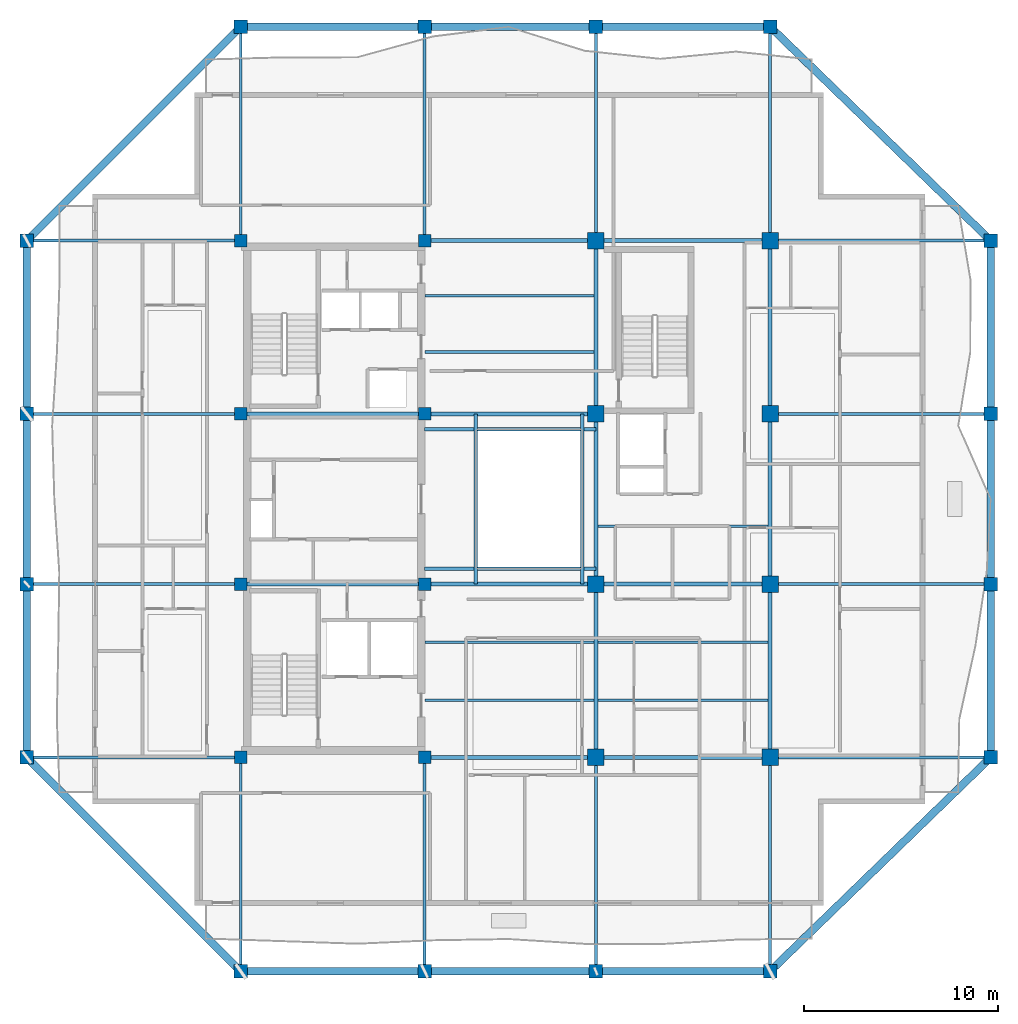
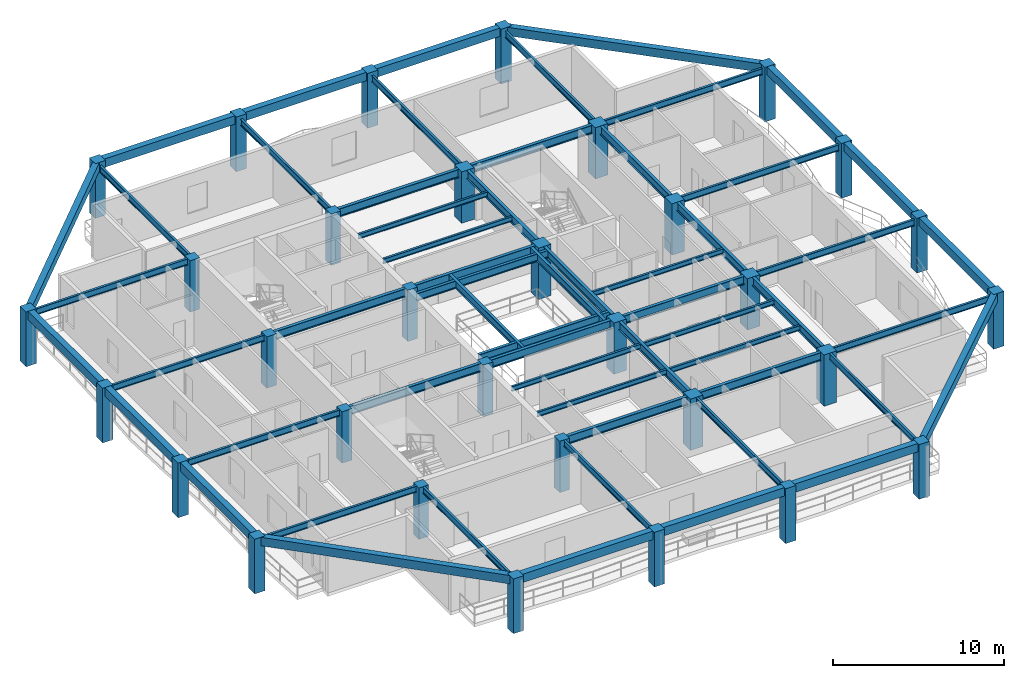
# One storey, part 1 of 12: 58 beams, 32 columns.
"""IFC4 building model written with IfcOpenShell, lengths in metres."""

from ifc_helpers import new_model, si_unit, direction, frame, origin, origin_2d, place, context, subcontext, project, spatial, rectangle, i_section, extrude, material, material_profile, profile_set, type_object, element, save


model = new_model("IFC4")

# Units and contexts
model_context = context("Model", 3, precision=1e-05, world=origin(), true_north=direction((0.0, 1.0)))
body_context = subcontext(model_context, "Body", "Model", "MODEL_VIEW")
ifc_project = project(units=[si_unit("LENGTHUNIT", "METRE"), si_unit("AREAUNIT", "SQUARE_METRE"), si_unit("VOLUMEUNIT", "CUBIC_METRE"), si_unit("PLANEANGLEUNIT", "RADIAN"), si_unit("MASSUNIT", "GRAM", prefix="KILO")], contexts=[model_context])

# Site, building, storey
site_placement = place(None, origin())
site = spatial("IfcSite", under=ifc_project, at=site_placement, CompositionType="ELEMENT")
building_placement = place(site_placement, origin())
building = spatial("IfcBuilding", under=site, at=building_placement, Name="Kundavana Baori Tower", CompositionType="ELEMENT")
storey_placement = place(building_placement, frame((0.0, 0.0, 241.39990234375)))
storey = spatial("IfcBuildingStorey", under=building, at=storey_placement, Name="L59", CompositionType="ELEMENT", Elevation=241.39990234375)

# Columns
ifc_material_1 = material(Name="Concrete C50/60", Category="concrete")
ifc_material_profile_1 = material_profile(ifc_material_1, rectangle(XDim=0.699951171875, YDim=0.699951171875, at=origin_2d()), Name="RC PF 700x700")
ifc_profile_set_1 = profile_set([ifc_material_profile_1], Name="Concrete C50/60")
column_type_1 = type_object("IfcColumnType", Name="COL-PF-700", PredefinedType="COLUMN", material=ifc_profile_set_1)
for number, where, z_axis, x_axis, name in (
    (1, (15.449951171875, 4.199951171875, 0.0), (0.0, 0.0, 1.0), (1.0, 0.0, 0.0), "L59 Stone-Clad Perimeter Frame Column PF-S1"),
    (2, (15.449951171875, 53.0, 0.0), (0.0, 0.0, 1.0), (1.0, 0.0, 0.0), "L59 Stone-Clad Perimeter Frame Column PF-N1"),
    (3, (24.949951171875, 4.199951171875, 0.0), (0.0, 0.0, 1.0), (1.0, 0.0, 0.0), "L59 Stone-Clad Perimeter Frame Column PF-S2"),
    (4, (24.949951171875, 53.0, 0.0), (0.0, 0.0, 1.0), (1.0, 0.0, 0.0), "L59 Stone-Clad Perimeter Frame Column PF-N2"),
    (5, (33.800048828125, 4.199951171875, 0.0), (0.0, 0.0, 1.0), (1.0, 0.0, 0.0), "L59 Stone-Clad Perimeter Frame Column PF-S3"),
    (6, (33.800048828125, 53.0, 0.0), (0.0, 0.0, 1.0), (1.0, 0.0, 0.0), "L59 Stone-Clad Perimeter Frame Column PF-N3"),
    (7, (42.800048828125, 4.199951171875, 0.0), (0.0, 0.0, 1.0), (1.0, 0.0, 0.0), "L59 Stone-Clad Perimeter Frame Column PF-S4"),
    (8, (42.800048828125, 53.0, 0.0), (0.0, 0.0, 1.0), (1.0, 0.0, 0.0), "L59 Stone-Clad Perimeter Frame Column PF-N4"),
    (9, (4.39990234375, 15.25, 0.0), (0.0, 0.0, 1.0), (1.0, 0.0, 0.0), "L59 Stone-Clad Perimeter Frame Column PF-W1"),
    (10, (54.199951171875, 15.25, 0.0), (0.0, 0.0, 1.0), (1.0, 0.0, 0.0), "L59 Stone-Clad Perimeter Frame Column PF-E1"),
    (11, (4.39990234375, 24.199951171875, 0.0), (0.0, 0.0, 1.0), (1.0, 0.0, 0.0), "L59 Stone-Clad Perimeter Frame Column PF-W2"),
    (12, (54.199951171875, 24.199951171875, 0.0), (0.0, 0.0, 1.0), (1.0, 0.0, 0.0), "L59 Stone-Clad Perimeter Frame Column PF-E2"),
    (13, (4.39990234375, 33.0, 0.0), (0.0, 0.0, 1.0), (1.0, 0.0, 0.0), "L59 Stone-Clad Perimeter Frame Column PF-W3"),
    (14, (54.199951171875, 33.0, 0.0), (0.0, 0.0, 1.0), (1.0, 0.0, 0.0), "L59 Stone-Clad Perimeter Frame Column PF-E3"),
    (15, (4.39990234375, 41.949951171875, 0.0), (0.0, 0.0, 1.0), (1.0, 0.0, 0.0), "L59 Stone-Clad Perimeter Frame Column PF-W4"),
    (16, (54.199951171875, 41.949951171875, 0.0), (0.0, 0.0, 1.0), (1.0, 0.0, 0.0), "L59 Stone-Clad Perimeter Frame Column PF-E4"),
):
    element("IfcColumn", number, at=place(storey_placement, frame(where, z_axis=z_axis, x_axis=x_axis)), inside=storey, type_object=column_type_1, Name=name, PredefinedType="COLUMN", context=body_context, shape_type="SweptSolid", body=[
        extrude(rectangle(XDim=0.699951171875, YDim=0.699951171875, at=origin_2d()), origin(), (0.0, 0.0, 1.0), 3.900146484375),
    ])
ifc_material_2 = material(Name="Concrete C50/60", Category="concrete")
ifc_material_profile_2 = material_profile(ifc_material_2, rectangle(XDim=0.64990234375, YDim=0.64990234375, at=origin_2d()), Name="RC 650x650")
ifc_profile_set_2 = profile_set([ifc_material_profile_2], Name="Concrete C50/60")
column_type_2 = type_object("IfcColumnType", Name="COL-RC-650", PredefinedType="COLUMN", material=ifc_profile_set_2)
for number, where, z_axis, x_axis, name in (
    (17, (15.449951171875, 15.25, 0.0), (0.0, 0.0, 1.0), (1.0, 0.0, 0.0), "L59 Interior Column IC-3C"),
    (18, (15.449951171875, 24.199951171875, 0.0), (0.0, 0.0, 1.0), (1.0, 0.0, 0.0), "L59 Interior Column IC-3D"),
    (19, (15.449951171875, 33.0, 0.0), (0.0, 0.0, 1.0), (1.0, 0.0, 0.0), "L59 Interior Column IC-3E"),
    (20, (15.449951171875, 41.949951171875, 0.0), (0.0, 0.0, 1.0), (1.0, 0.0, 0.0), "L59 Interior Column IC-3F"),
    (21, (24.949951171875, 15.25, 0.0), (0.0, 0.0, 1.0), (1.0, 0.0, 0.0), "L59 Interior Column IC-4C"),
    (22, (24.949951171875, 24.199951171875, 0.0), (0.0, 0.0, 1.0), (1.0, 0.0, 0.0), "L59 Interior Column IC-4D"),
    (23, (24.949951171875, 33.0, 0.0), (0.0, 0.0, 1.0), (1.0, 0.0, 0.0), "L59 Interior Column IC-4E"),
    (24, (24.949951171875, 41.949951171875, 0.0), (0.0, 0.0, 1.0), (1.0, 0.0, 0.0), "L59 Interior Column IC-4F"),
):
    element("IfcColumn", number, at=place(storey_placement, frame(where, z_axis=z_axis, x_axis=x_axis)), inside=storey, type_object=column_type_2, Name=name, PredefinedType="COLUMN", context=body_context, shape_type="SweptSolid", body=[
        extrude(rectangle(XDim=0.64990234375, YDim=0.64990234375, at=origin_2d()), origin(), (0.0, 0.0, 1.0), 3.66015625),
    ])
ifc_material_3 = material(Name="Concrete C50/60", Category="concrete")
ifc_material_profile_3 = material_profile(ifc_material_3, rectangle(XDim=0.85009765625, YDim=0.85009765625, at=origin_2d()), Name="RC 850x850")
ifc_profile_set_3 = profile_set([ifc_material_profile_3], Name="Concrete C50/60")
column_type_3 = type_object("IfcColumnType", Name="COL-RC-850", PredefinedType="COLUMN", material=ifc_profile_set_3)
for number, where, z_axis, x_axis, name in (
    (25, (33.800048828125, 15.25, 0.0), (0.0, 0.0, 1.0), (1.0, 0.0, 0.0), "L59 Interior Column IC-5C"),
    (26, (33.800048828125, 24.199951171875, 0.0), (0.0, 0.0, 1.0), (1.0, 0.0, 0.0), "L59 Interior Column IC-5D"),
    (27, (33.800048828125, 33.0, 0.0), (0.0, 0.0, 1.0), (1.0, 0.0, 0.0), "L59 Interior Column IC-5E"),
    (28, (33.800048828125, 41.949951171875, 0.0), (0.0, 0.0, 1.0), (1.0, 0.0, 0.0), "L59 Interior Column IC-5F"),
    (29, (42.800048828125, 15.25, 0.0), (0.0, 0.0, 1.0), (1.0, 0.0, 0.0), "L59 Interior Column IC-6C"),
    (30, (42.800048828125, 24.199951171875, 0.0), (0.0, 0.0, 1.0), (1.0, 0.0, 0.0), "L59 Interior Column IC-6D"),
    (31, (42.800048828125, 33.0, 0.0), (0.0, 0.0, 1.0), (1.0, 0.0, 0.0), "L59 Interior Column IC-6E"),
    (32, (42.800048828125, 41.949951171875, 0.0), (0.0, 0.0, 1.0), (1.0, 0.0, 0.0), "L59 Interior Column IC-6F"),
):
    element("IfcColumn", number, at=place(storey_placement, frame(where, z_axis=z_axis, x_axis=x_axis)), inside=storey, type_object=column_type_3, Name=name, PredefinedType="COLUMN", context=body_context, shape_type="SweptSolid", body=[
        extrude(rectangle(XDim=0.85009765625, YDim=0.85009765625, at=origin_2d()), origin(), (0.0, 0.0, 1.0), 3.66015625),
    ])

# Beams
ifc_material_4 = material(Name="Structural Steel S355JR", Category="steel")
ifc_material_profile_4 = material_profile(ifc_material_4, i_section(OverallWidth=0.139892578125, OverallDepth=0.35009765625, WebThickness=0.008056640625, FlangeThickness=0.01416015625, FilletRadius=0.013916015625, at=origin_2d()), Name="ISMB 350")
ifc_profile_set_4 = profile_set([ifc_material_profile_4], Name="Structural Steel S355JR")
beam_type_1 = type_object("IfcBeamType", Name="BM-JST-350", PredefinedType="JOIST", material=ifc_profile_set_4)
for number, where, z_axis, x_axis, name in (
    (33, (24.97998046875, 18.199951171875, 3.485107421875), (1.0, 0.0, 0.0), (0.0, 1.0, 0.0), "L59 Central Bay Composite Floor Joist C1"),
    (34, (24.97998046875, 21.199951171875, 3.485107421875), (1.0, 0.0, 0.0), (0.0, 1.0, 0.0), "L59 Central Bay Composite Floor Joist C2"),
    (35, (24.97998046875, 36.199951171875, 3.485107421875), (1.0, 0.0, 0.0), (0.0, 1.0, 0.0), "L59 Central Bay Composite Floor Joist C3"),
    (36, (24.97998046875, 39.10009765625, 3.485107421875), (1.0, 0.0, 0.0), (0.0, 1.0, 0.0), "L59 Central Bay Composite Floor Joist C4"),
):
    element("IfcBeam", number, at=place(storey_placement, frame(where, z_axis=z_axis, x_axis=x_axis)), inside=storey, type_object=beam_type_1, Name=name, PredefinedType="JOIST", context=body_context, shape_type="SweptSolid", body=[
        extrude(i_section(OverallWidth=0.139892578125, OverallDepth=0.35009765625, WebThickness=0.008056640625, FlangeThickness=0.01416015625, FilletRadius=0.013916015625, at=origin_2d()), origin(), (0.0, 0.0, 1.0), 8.715087890625),
    ])
for number, where, z_axis, x_axis, name in (
    (37, (33.905029296875, 18.199951171875, 3.485107421875), (1.0, 0.0, 0.0), (0.0, 1.0, 0.0), "L59 East Bay Composite Floor Joist E1"),
    (38, (33.905029296875, 21.199951171875, 3.485107421875), (1.0, 0.0, 0.0), (0.0, 1.0, 0.0), "L59 East Bay Composite Floor Joist E2"),
    (39, (33.905029296875, 27.199951171875, 3.485107421875), (1.0, 0.0, 0.0), (0.0, 1.0, 0.0), "L59 East Bay Composite Floor Joist E3"),
):
    element("IfcBeam", number, at=place(storey_placement, frame(where, z_axis=z_axis, x_axis=x_axis)), inside=storey, type_object=beam_type_1, Name=name, PredefinedType="JOIST", context=body_context, shape_type="SweptSolid", body=[
        extrude(i_section(OverallWidth=0.139892578125, OverallDepth=0.35009765625, WebThickness=0.008056640625, FlangeThickness=0.01416015625, FilletRadius=0.013916015625, at=origin_2d()), origin(), (0.0, 0.0, 1.0), 8.7900390625),
    ])
ifc_material_5 = material(Name="Concrete C50/60", Category="concrete")
ifc_material_profile_5 = material_profile(ifc_material_5, rectangle(XDim=0.39990234375, YDim=0.60009765625, at=origin_2d()), Name="RC BM 400x600")
ifc_profile_set_5 = profile_set([ifc_material_profile_5], Name="Concrete C50/60")
beam_type_2 = type_object("IfcBeamType", Name="BM-PF-600", PredefinedType="SPANDREL", material=ifc_profile_set_5)
beam_1_placement = place(storey_placement, frame((15.449951171875, 4.199951171875, 3.60009765625), z_axis=(1.0, 0.0, 0.0), x_axis=(0.0, 1.0, 0.0)))
element("IfcBeam", 40, at=beam_1_placement, inside=storey, type_object=beam_type_2, Name="L59 Perimeter Frame Ring Beam S1", PredefinedType="SPANDREL", context=body_context, shape_type="SweptSolid", body=[
    extrude(rectangle(XDim=0.39990234375, YDim=0.60009765625, at=origin_2d()), origin(), (0.0, 0.0, 1.0), 9.5),
])
beam_2_placement = place(storey_placement, frame((24.949951171875, 4.199951171875, 3.60009765625), z_axis=(1.0, 0.0, 0.0), x_axis=(0.0, 1.0, 0.0)))
element("IfcBeam", 41, at=beam_2_placement, inside=storey, type_object=beam_type_2, Name="L59 Perimeter Frame Ring Beam S2", PredefinedType="SPANDREL", context=body_context, shape_type="SweptSolid", body=[
    extrude(rectangle(XDim=0.39990234375, YDim=0.60009765625, at=origin_2d()), origin(), (0.0, 0.0, 1.0), 8.85009765625),
])
beam_3_placement = place(storey_placement, frame((33.800048828125, 4.199951171875, 3.60009765625), z_axis=(1.0, 0.0, 0.0), x_axis=(0.0, 1.0, 0.0)))
element("IfcBeam", 42, at=beam_3_placement, inside=storey, type_object=beam_type_2, Name="L59 Perimeter Frame Ring Beam S3", PredefinedType="SPANDREL", context=body_context, shape_type="SweptSolid", body=[
    extrude(rectangle(XDim=0.39990234375, YDim=0.60009765625, at=origin_2d()), origin(), (0.0, 0.0, 1.0), 9.0),
])
beam_4_placement = place(storey_placement, frame((15.449951171875, 53.0, 3.60009765625), z_axis=(1.0, 0.0, 0.0), x_axis=(0.0, 1.0, 0.0)))
element("IfcBeam", 43, at=beam_4_placement, inside=storey, type_object=beam_type_2, Name="L59 Perimeter Frame Ring Beam N1", PredefinedType="SPANDREL", context=body_context, shape_type="SweptSolid", body=[
    extrude(rectangle(XDim=0.39990234375, YDim=0.60009765625, at=origin_2d()), origin(), (0.0, 0.0, 1.0), 9.5),
])
beam_5_placement = place(storey_placement, frame((24.949951171875, 53.0, 3.60009765625), z_axis=(1.0, 0.0, 0.0), x_axis=(0.0, 1.0, 0.0)))
element("IfcBeam", 44, at=beam_5_placement, inside=storey, type_object=beam_type_2, Name="L59 Perimeter Frame Ring Beam N2", PredefinedType="SPANDREL", context=body_context, shape_type="SweptSolid", body=[
    extrude(rectangle(XDim=0.39990234375, YDim=0.60009765625, at=origin_2d()), origin(), (0.0, 0.0, 1.0), 8.85009765625),
])
beam_6_placement = place(storey_placement, frame((33.800048828125, 53.0, 3.60009765625), z_axis=(1.0, 0.0, 0.0), x_axis=(0.0, 1.0, 0.0)))
element("IfcBeam", 45, at=beam_6_placement, inside=storey, type_object=beam_type_2, Name="L59 Perimeter Frame Ring Beam N3", PredefinedType="SPANDREL", context=body_context, shape_type="SweptSolid", body=[
    extrude(rectangle(XDim=0.39990234375, YDim=0.60009765625, at=origin_2d()), origin(), (0.0, 0.0, 1.0), 9.0),
])
beam_7_placement = place(storey_placement, frame((4.39990234375, 15.25, 3.60009765625), z_axis=(0.0, 1.0, 0.0), x_axis=(-1.0, 0.0, 0.0)))
element("IfcBeam", 46, at=beam_7_placement, inside=storey, type_object=beam_type_2, Name="L59 Perimeter Frame Ring Beam W1", PredefinedType="SPANDREL", context=body_context, shape_type="SweptSolid", body=[
    extrude(rectangle(XDim=0.39990234375, YDim=0.60009765625, at=origin_2d()), origin(), (0.0, 0.0, 1.0), 8.949951171875),
])
beam_8_placement = place(storey_placement, frame((4.39990234375, 24.199951171875, 3.60009765625), z_axis=(0.0, 1.0, 0.0), x_axis=(-1.0, 0.0, 0.0)))
element("IfcBeam", 47, at=beam_8_placement, inside=storey, type_object=beam_type_2, Name="L59 Perimeter Frame Ring Beam W2", PredefinedType="SPANDREL", context=body_context, shape_type="SweptSolid", body=[
    extrude(rectangle(XDim=0.39990234375, YDim=0.60009765625, at=origin_2d()), origin(), (0.0, 0.0, 1.0), 8.800048828125),
])
for number, where, z_axis, x_axis, name in (
    (48, (4.39990234375, 33.0, 3.60009765625), (0.0, 1.0, 0.0), (-1.0, 0.0, 0.0), "L59 Perimeter Frame Ring Beam W3"),
    (49, (54.199951171875, 15.25, 3.60009765625), (0.0, 1.0, 0.0), (-1.0, 0.0, 0.0), "L59 Perimeter Frame Ring Beam E1"),
):
    element("IfcBeam", number, at=place(storey_placement, frame(where, z_axis=z_axis, x_axis=x_axis)), inside=storey, type_object=beam_type_2, Name=name, PredefinedType="SPANDREL", context=body_context, shape_type="SweptSolid", body=[
        extrude(rectangle(XDim=0.39990234375, YDim=0.60009765625, at=origin_2d()), origin(), (0.0, 0.0, 1.0), 8.949951171875),
    ])
beam_9_placement = place(storey_placement, frame((54.199951171875, 24.199951171875, 3.60009765625), z_axis=(0.0, 1.0, 0.0), x_axis=(-1.0, 0.0, 0.0)))
element("IfcBeam", 50, at=beam_9_placement, inside=storey, type_object=beam_type_2, Name="L59 Perimeter Frame Ring Beam E2", PredefinedType="SPANDREL", context=body_context, shape_type="SweptSolid", body=[
    extrude(rectangle(XDim=0.39990234375, YDim=0.60009765625, at=origin_2d()), origin(), (0.0, 0.0, 1.0), 8.800048828125),
])
beam_10_placement = place(storey_placement, frame((54.199951171875, 33.0, 3.60009765625), z_axis=(0.0, 1.0, 0.0), x_axis=(-1.0, 0.0, 0.0)))
element("IfcBeam", 51, at=beam_10_placement, inside=storey, type_object=beam_type_2, Name="L59 Perimeter Frame Ring Beam E3", PredefinedType="SPANDREL", context=body_context, shape_type="SweptSolid", body=[
    extrude(rectangle(XDim=0.39990234375, YDim=0.60009765625, at=origin_2d()), origin(), (0.0, 0.0, 1.0), 8.949951171875),
])
beam_11_placement = place(storey_placement, frame((15.449951171875, 4.199951171875, 3.60009765625), z_axis=(-0.707106781187, 0.707106781187, 0.0), x_axis=(-0.707106781187, -0.707106781187, 0.0)))
element("IfcBeam", 52, at=beam_11_placement, inside=storey, type_object=beam_type_2, Name="L59 Notched Corner Perimeter Beam SW", PredefinedType="SPANDREL", context=body_context, shape_type="SweptSolid", body=[
    extrude(rectangle(XDim=0.39990234375, YDim=0.60009765625, at=origin_2d()), origin(), (0.0, 0.0, 1.0), 15.627197265625),
])
beam_12_placement = place(storey_placement, frame((42.800048828125, 4.199951171875, 3.60009765625), z_axis=(0.718038944492, 0.696002926857, 0.0), x_axis=(-0.696002926857, 0.718038944492, 0.0)))
element("IfcBeam", 53, at=beam_12_placement, inside=storey, type_object=beam_type_2, Name="L59 Notched Corner Perimeter Beam SE", PredefinedType="SPANDREL", context=body_context, shape_type="SweptSolid", body=[
    extrude(rectangle(XDim=0.39990234375, YDim=0.60009765625, at=origin_2d()), origin(), (0.0, 0.0, 1.0), 15.87646484375),
])
beam_13_placement = place(storey_placement, frame((15.449951171875, 53.0, 3.60009765625), z_axis=(-0.707106781187, -0.707106781187, 0.0), x_axis=(0.707106781187, -0.707106781187, 0.0)))
element("IfcBeam", 54, at=beam_13_placement, inside=storey, type_object=beam_type_2, Name="L59 Notched Corner Perimeter Beam NW", PredefinedType="SPANDREL", context=body_context, shape_type="SweptSolid", body=[
    extrude(rectangle(XDim=0.39990234375, YDim=0.60009765625, at=origin_2d()), origin(), (0.0, 0.0, 1.0), 15.627197265625),
])
beam_14_placement = place(storey_placement, frame((42.800048828125, 53.0, 3.60009765625), z_axis=(0.718038944492, -0.696002926857, 0.0), x_axis=(0.696002926857, 0.718038944492, 0.0)))
element("IfcBeam", 55, at=beam_14_placement, inside=storey, type_object=beam_type_2, Name="L59 Notched Corner Perimeter Beam NE", PredefinedType="SPANDREL", context=body_context, shape_type="SweptSolid", body=[
    extrude(rectangle(XDim=0.39990234375, YDim=0.60009765625, at=origin_2d()), origin(), (0.0, 0.0, 1.0), 15.87646484375),
])
ifc_material_6 = material(Name="Structural Steel S355JR", Category="steel")
ifc_material_profile_6 = material_profile(ifc_material_6, i_section(OverallWidth=0.18994140625, OverallDepth=0.550048828125, WebThickness=0.01123046875, FlangeThickness=0.019287109375, FilletRadius=0.01806640625, at=origin_2d()), Name="ISMB 550")
ifc_profile_set_6 = profile_set([ifc_material_profile_6], Name="Structural Steel S355JR")
beam_type_3 = type_object("IfcBeamType", Name="BM-ST-550", PredefinedType="BEAM", material=ifc_profile_set_6)
for number, where, z_axis, x_axis, name in (
    (56, (27.60009765625, 24.199951171875, 3.385009765625), (0.0, 1.0, 0.0), (-1.0, 0.0, 0.0), "L59 Atrium West Edge Beam"),
    (57, (33.10009765625, 24.199951171875, 3.385009765625), (0.0, 1.0, 0.0), (-1.0, 0.0, 0.0), "L59 Atrium East Edge Beam"),
):
    element("IfcBeam", number, at=place(storey_placement, frame(where, z_axis=z_axis, x_axis=x_axis)), inside=storey, type_object=beam_type_3, Name=name, PredefinedType="BEAM", context=body_context, shape_type="SweptSolid", body=[
        extrude(i_section(OverallWidth=0.18994140625, OverallDepth=0.550048828125, WebThickness=0.01123046875, FlangeThickness=0.019287109375, FilletRadius=0.01806640625, at=origin_2d()), origin(), (0.0, 0.0, 1.0), 8.800048828125),
    ])
for number, where, z_axis, x_axis, name in (
    (58, (24.949951171875, 25.0, 3.385009765625), (1.0, 0.0, 0.0), (0.0, 1.0, 0.0), "L59 Atrium South Edge Beam"),
    (59, (24.949951171875, 32.199951171875, 3.385009765625), (1.0, 0.0, 0.0), (0.0, 1.0, 0.0), "L59 Atrium North Edge Beam"),
):
    element("IfcBeam", number, at=place(storey_placement, frame(where, z_axis=z_axis, x_axis=x_axis)), inside=storey, type_object=beam_type_3, Name=name, PredefinedType="BEAM", context=body_context, shape_type="SweptSolid", body=[
        extrude(i_section(OverallWidth=0.18994140625, OverallDepth=0.550048828125, WebThickness=0.01123046875, FlangeThickness=0.019287109375, FilletRadius=0.01806640625, at=origin_2d()), origin(), (0.0, 0.0, 1.0), 8.85009765625),
    ])
ifc_material_7 = material(Name="Structural Steel S355JR", Category="steel")
ifc_material_profile_7 = material_profile(ifc_material_7, i_section(OverallWidth=0.2099609375, OverallDepth=0.60009765625, WebThickness=0.011962890625, FlangeThickness=0.020751953125, FilletRadius=0.02001953125, at=origin_2d()), Name="ISMB 600")
ifc_profile_set_7 = profile_set([ifc_material_profile_7], Name="Structural Steel S355JR")
beam_type_4 = type_object("IfcBeamType", Name="BM-ST-600", PredefinedType="BEAM", material=ifc_profile_set_7)
beam_15_placement = place(storey_placement, frame((24.949951171875, 15.25, 3.360107421875), z_axis=(1.0, 0.0, 0.0), x_axis=(0.0, 1.0, 0.0)))
element("IfcBeam", 60, at=beam_15_placement, inside=storey, type_object=beam_type_4, Name="L59 Primary Grid Girder GX-1-2", PredefinedType="BEAM", context=body_context, shape_type="SweptSolid", body=[
    extrude(i_section(OverallWidth=0.2099609375, OverallDepth=0.60009765625, WebThickness=0.011962890625, FlangeThickness=0.020751953125, FilletRadius=0.02001953125, at=origin_2d()), origin(), (0.0, 0.0, 1.0), 8.85009765625),
])
beam_16_placement = place(storey_placement, frame((33.800048828125, 15.25, 3.360107421875), z_axis=(1.0, 0.0, 0.0), x_axis=(0.0, 1.0, 0.0)))
element("IfcBeam", 61, at=beam_16_placement, inside=storey, type_object=beam_type_4, Name="L59 Primary Grid Girder GX-1-3", PredefinedType="BEAM", context=body_context, shape_type="SweptSolid", body=[
    extrude(i_section(OverallWidth=0.2099609375, OverallDepth=0.60009765625, WebThickness=0.011962890625, FlangeThickness=0.020751953125, FilletRadius=0.02001953125, at=origin_2d()), origin(), (0.0, 0.0, 1.0), 9.0),
])
beam_17_placement = place(storey_placement, frame((15.449951171875, 24.199951171875, 3.360107421875), z_axis=(1.0, 0.0, 0.0), x_axis=(0.0, 1.0, 0.0)))
element("IfcBeam", 62, at=beam_17_placement, inside=storey, type_object=beam_type_4, Name="L59 Primary Grid Girder GX-2-1", PredefinedType="BEAM", context=body_context, shape_type="SweptSolid", body=[
    extrude(i_section(OverallWidth=0.2099609375, OverallDepth=0.60009765625, WebThickness=0.011962890625, FlangeThickness=0.020751953125, FilletRadius=0.02001953125, at=origin_2d()), origin(), (0.0, 0.0, 1.0), 9.5),
])
beam_18_placement = place(storey_placement, frame((24.949951171875, 24.199951171875, 3.360107421875), z_axis=(1.0, 0.0, 0.0), x_axis=(0.0, 1.0, 0.0)))
element("IfcBeam", 63, at=beam_18_placement, inside=storey, type_object=beam_type_4, Name="L59 Primary Grid Girder GX-2-2", PredefinedType="BEAM", context=body_context, shape_type="SweptSolid", body=[
    extrude(i_section(OverallWidth=0.2099609375, OverallDepth=0.60009765625, WebThickness=0.011962890625, FlangeThickness=0.020751953125, FilletRadius=0.02001953125, at=origin_2d()), origin(), (0.0, 0.0, 1.0), 8.85009765625),
])
beam_19_placement = place(storey_placement, frame((33.800048828125, 24.199951171875, 3.360107421875), z_axis=(1.0, 0.0, 0.0), x_axis=(0.0, 1.0, 0.0)))
element("IfcBeam", 64, at=beam_19_placement, inside=storey, type_object=beam_type_4, Name="L59 Primary Grid Girder GX-2-3", PredefinedType="BEAM", context=body_context, shape_type="SweptSolid", body=[
    extrude(i_section(OverallWidth=0.2099609375, OverallDepth=0.60009765625, WebThickness=0.011962890625, FlangeThickness=0.020751953125, FilletRadius=0.02001953125, at=origin_2d()), origin(), (0.0, 0.0, 1.0), 9.0),
])
beam_20_placement = place(storey_placement, frame((15.449951171875, 33.0, 3.360107421875), z_axis=(1.0, 0.0, 0.0), x_axis=(0.0, 1.0, 0.0)))
element("IfcBeam", 65, at=beam_20_placement, inside=storey, type_object=beam_type_4, Name="L59 Primary Grid Girder GX-3-1", PredefinedType="BEAM", context=body_context, shape_type="SweptSolid", body=[
    extrude(i_section(OverallWidth=0.2099609375, OverallDepth=0.60009765625, WebThickness=0.011962890625, FlangeThickness=0.020751953125, FilletRadius=0.02001953125, at=origin_2d()), origin(), (0.0, 0.0, 1.0), 9.5),
])
for number, where, z_axis, x_axis, name in (
    (66, (24.949951171875, 33.0, 3.360107421875), (1.0, 0.0, 0.0), (0.0, 1.0, 0.0), "L59 Primary Grid Girder GX-3-2"),
    (67, (24.949951171875, 41.949951171875, 3.360107421875), (1.0, 0.0, 0.0), (0.0, 1.0, 0.0), "L59 Primary Grid Girder GX-4-2"),
):
    element("IfcBeam", number, at=place(storey_placement, frame(where, z_axis=z_axis, x_axis=x_axis)), inside=storey, type_object=beam_type_4, Name=name, PredefinedType="BEAM", context=body_context, shape_type="SweptSolid", body=[
        extrude(i_section(OverallWidth=0.2099609375, OverallDepth=0.60009765625, WebThickness=0.011962890625, FlangeThickness=0.020751953125, FilletRadius=0.02001953125, at=origin_2d()), origin(), (0.0, 0.0, 1.0), 8.85009765625),
    ])
beam_21_placement = place(storey_placement, frame((33.800048828125, 41.949951171875, 3.360107421875), z_axis=(1.0, 0.0, 0.0), x_axis=(0.0, 1.0, 0.0)))
element("IfcBeam", 68, at=beam_21_placement, inside=storey, type_object=beam_type_4, Name="L59 Primary Grid Girder GX-4-3", PredefinedType="BEAM", context=body_context, shape_type="SweptSolid", body=[
    extrude(i_section(OverallWidth=0.2099609375, OverallDepth=0.60009765625, WebThickness=0.011962890625, FlangeThickness=0.020751953125, FilletRadius=0.02001953125, at=origin_2d()), origin(), (0.0, 0.0, 1.0), 9.0),
])
beam_22_placement = place(storey_placement, frame((33.800048828125, 15.25, 3.360107421875), z_axis=(0.0, 1.0, 0.0), x_axis=(-1.0, 0.0, 0.0)))
element("IfcBeam", 69, at=beam_22_placement, inside=storey, type_object=beam_type_4, Name="L59 Primary Grid Girder GY-3-1", PredefinedType="BEAM", context=body_context, shape_type="SweptSolid", body=[
    extrude(i_section(OverallWidth=0.2099609375, OverallDepth=0.60009765625, WebThickness=0.011962890625, FlangeThickness=0.020751953125, FilletRadius=0.02001953125, at=origin_2d()), origin(), (0.0, 0.0, 1.0), 8.949951171875),
])
beam_23_placement = place(storey_placement, frame((33.800048828125, 24.199951171875, 3.360107421875), z_axis=(0.0, 1.0, 0.0), x_axis=(-1.0, 0.0, 0.0)))
element("IfcBeam", 70, at=beam_23_placement, inside=storey, type_object=beam_type_4, Name="L59 Primary Grid Girder GY-3-2", PredefinedType="BEAM", context=body_context, shape_type="SweptSolid", body=[
    extrude(i_section(OverallWidth=0.2099609375, OverallDepth=0.60009765625, WebThickness=0.011962890625, FlangeThickness=0.020751953125, FilletRadius=0.02001953125, at=origin_2d()), origin(), (0.0, 0.0, 1.0), 8.800048828125),
])
for number, where, z_axis, x_axis, name in (
    (71, (33.800048828125, 33.0, 3.360107421875), (0.0, 1.0, 0.0), (-1.0, 0.0, 0.0), "L59 Primary Grid Girder GY-3-3"),
    (72, (42.800048828125, 15.25, 3.360107421875), (0.0, 1.0, 0.0), (-1.0, 0.0, 0.0), "L59 Primary Grid Girder GY-4-1"),
):
    element("IfcBeam", number, at=place(storey_placement, frame(where, z_axis=z_axis, x_axis=x_axis)), inside=storey, type_object=beam_type_4, Name=name, PredefinedType="BEAM", context=body_context, shape_type="SweptSolid", body=[
        extrude(i_section(OverallWidth=0.2099609375, OverallDepth=0.60009765625, WebThickness=0.011962890625, FlangeThickness=0.020751953125, FilletRadius=0.02001953125, at=origin_2d()), origin(), (0.0, 0.0, 1.0), 8.949951171875),
    ])
beam_24_placement = place(storey_placement, frame((42.800048828125, 24.199951171875, 3.360107421875), z_axis=(0.0, 1.0, 0.0), x_axis=(-1.0, 0.0, 0.0)))
element("IfcBeam", 73, at=beam_24_placement, inside=storey, type_object=beam_type_4, Name="L59 Primary Grid Girder GY-4-2", PredefinedType="BEAM", context=body_context, shape_type="SweptSolid", body=[
    extrude(i_section(OverallWidth=0.2099609375, OverallDepth=0.60009765625, WebThickness=0.011962890625, FlangeThickness=0.020751953125, FilletRadius=0.02001953125, at=origin_2d()), origin(), (0.0, 0.0, 1.0), 8.800048828125),
])
beam_25_placement = place(storey_placement, frame((42.800048828125, 33.0, 3.360107421875), z_axis=(0.0, 1.0, 0.0), x_axis=(-1.0, 0.0, 0.0)))
element("IfcBeam", 74, at=beam_25_placement, inside=storey, type_object=beam_type_4, Name="L59 Primary Grid Girder GY-4-3", PredefinedType="BEAM", context=body_context, shape_type="SweptSolid", body=[
    extrude(i_section(OverallWidth=0.2099609375, OverallDepth=0.60009765625, WebThickness=0.011962890625, FlangeThickness=0.020751953125, FilletRadius=0.02001953125, at=origin_2d()), origin(), (0.0, 0.0, 1.0), 8.949951171875),
])
ifc_material_8 = material(Name="Structural Steel S355JR", Category="steel")
ifc_material_profile_8 = material_profile(ifc_material_8, i_section(OverallWidth=0.14990234375, OverallDepth=0.449951171875, WebThickness=0.009521484375, FlangeThickness=0.017333984375, FilletRadius=0.014892578125, at=origin_2d()), Name="ISMB 450")
ifc_profile_set_8 = profile_set([ifc_material_profile_8], Name="Structural Steel S355JR")
beam_type_5 = type_object("IfcBeamType", Name="BM-TIE-450", PredefinedType="BEAM", material=ifc_profile_set_8)
for number, where, z_axis, x_axis, name in (
    (75, (15.449951171875, 15.25, 3.43505859375), (0.0, -1.0, 0.0), (1.0, 0.0, 0.0), "L59 South Radial Loggia Tie Beam S1"),
    (76, (15.449951171875, 41.949951171875, 3.43505859375), (0.0, 1.0, 0.0), (-1.0, 0.0, 0.0), "L59 North Radial Loggia Tie Beam N1"),
    (77, (24.949951171875, 15.25, 3.43505859375), (0.0, -1.0, 0.0), (1.0, 0.0, 0.0), "L59 South Radial Loggia Tie Beam S2"),
    (78, (24.949951171875, 41.949951171875, 3.43505859375), (0.0, 1.0, 0.0), (-1.0, 0.0, 0.0), "L59 North Radial Loggia Tie Beam N2"),
    (79, (33.800048828125, 15.25, 3.43505859375), (0.0, -1.0, 0.0), (1.0, 0.0, 0.0), "L59 South Radial Loggia Tie Beam S3"),
    (80, (33.800048828125, 41.949951171875, 3.43505859375), (0.0, 1.0, 0.0), (-1.0, 0.0, 0.0), "L59 North Radial Loggia Tie Beam N3"),
    (81, (42.800048828125, 15.25, 3.43505859375), (0.0, -1.0, 0.0), (1.0, 0.0, 0.0), "L59 South Radial Loggia Tie Beam S4"),
    (82, (42.800048828125, 41.949951171875, 3.43505859375), (0.0, 1.0, 0.0), (-1.0, 0.0, 0.0), "L59 North Radial Loggia Tie Beam N4"),
    (83, (15.449951171875, 15.25, 3.43505859375), (-1.0, 0.0, 0.0), (0.0, -1.0, 0.0), "L59 West Radial Loggia Tie Beam W1"),
):
    element("IfcBeam", number, at=place(storey_placement, frame(where, z_axis=z_axis, x_axis=x_axis)), inside=storey, type_object=beam_type_5, Name=name, PredefinedType="BEAM", context=body_context, shape_type="SweptSolid", body=[
        extrude(i_section(OverallWidth=0.14990234375, OverallDepth=0.449951171875, WebThickness=0.009521484375, FlangeThickness=0.017333984375, FilletRadius=0.014892578125, at=origin_2d()), origin(), (0.0, 0.0, 1.0), 11.050048828125),
    ])
beam_26_placement = place(storey_placement, frame((42.800048828125, 15.25, 3.43505859375), z_axis=(1.0, 0.0, 0.0), x_axis=(0.0, 1.0, 0.0)))
element("IfcBeam", 84, at=beam_26_placement, inside=storey, type_object=beam_type_5, Name="L59 East Radial Loggia Tie Beam E1", PredefinedType="BEAM", context=body_context, shape_type="SweptSolid", body=[
    extrude(i_section(OverallWidth=0.14990234375, OverallDepth=0.449951171875, WebThickness=0.009521484375, FlangeThickness=0.017333984375, FilletRadius=0.014892578125, at=origin_2d()), origin(), (0.0, 0.0, 1.0), 11.39990234375),
])
beam_27_placement = place(storey_placement, frame((15.449951171875, 24.199951171875, 3.43505859375), z_axis=(-1.0, 0.0, 0.0), x_axis=(0.0, -1.0, 0.0)))
element("IfcBeam", 85, at=beam_27_placement, inside=storey, type_object=beam_type_5, Name="L59 West Radial Loggia Tie Beam W2", PredefinedType="BEAM", context=body_context, shape_type="SweptSolid", body=[
    extrude(i_section(OverallWidth=0.14990234375, OverallDepth=0.449951171875, WebThickness=0.009521484375, FlangeThickness=0.017333984375, FilletRadius=0.014892578125, at=origin_2d()), origin(), (0.0, 0.0, 1.0), 11.050048828125),
])
beam_28_placement = place(storey_placement, frame((42.800048828125, 24.199951171875, 3.43505859375), z_axis=(1.0, 0.0, 0.0), x_axis=(0.0, 1.0, 0.0)))
element("IfcBeam", 86, at=beam_28_placement, inside=storey, type_object=beam_type_5, Name="L59 East Radial Loggia Tie Beam E2", PredefinedType="BEAM", context=body_context, shape_type="SweptSolid", body=[
    extrude(i_section(OverallWidth=0.14990234375, OverallDepth=0.449951171875, WebThickness=0.009521484375, FlangeThickness=0.017333984375, FilletRadius=0.014892578125, at=origin_2d()), origin(), (0.0, 0.0, 1.0), 11.39990234375),
])
beam_29_placement = place(storey_placement, frame((15.449951171875, 33.0, 3.43505859375), z_axis=(-1.0, 0.0, 0.0), x_axis=(0.0, -1.0, 0.0)))
element("IfcBeam", 87, at=beam_29_placement, inside=storey, type_object=beam_type_5, Name="L59 West Radial Loggia Tie Beam W3", PredefinedType="BEAM", context=body_context, shape_type="SweptSolid", body=[
    extrude(i_section(OverallWidth=0.14990234375, OverallDepth=0.449951171875, WebThickness=0.009521484375, FlangeThickness=0.017333984375, FilletRadius=0.014892578125, at=origin_2d()), origin(), (0.0, 0.0, 1.0), 11.050048828125),
])
beam_30_placement = place(storey_placement, frame((42.800048828125, 33.0, 3.43505859375), z_axis=(1.0, 0.0, 0.0), x_axis=(0.0, 1.0, 0.0)))
element("IfcBeam", 88, at=beam_30_placement, inside=storey, type_object=beam_type_5, Name="L59 East Radial Loggia Tie Beam E3", PredefinedType="BEAM", context=body_context, shape_type="SweptSolid", body=[
    extrude(i_section(OverallWidth=0.14990234375, OverallDepth=0.449951171875, WebThickness=0.009521484375, FlangeThickness=0.017333984375, FilletRadius=0.014892578125, at=origin_2d()), origin(), (0.0, 0.0, 1.0), 11.39990234375),
])
beam_31_placement = place(storey_placement, frame((15.449951171875, 41.949951171875, 3.43505859375), z_axis=(-1.0, 0.0, 0.0), x_axis=(0.0, -1.0, 0.0)))
element("IfcBeam", 89, at=beam_31_placement, inside=storey, type_object=beam_type_5, Name="L59 West Radial Loggia Tie Beam W4", PredefinedType="BEAM", context=body_context, shape_type="SweptSolid", body=[
    extrude(i_section(OverallWidth=0.14990234375, OverallDepth=0.449951171875, WebThickness=0.009521484375, FlangeThickness=0.017333984375, FilletRadius=0.014892578125, at=origin_2d()), origin(), (0.0, 0.0, 1.0), 11.050048828125),
])
beam_32_placement = place(storey_placement, frame((42.800048828125, 41.949951171875, 3.43505859375), z_axis=(1.0, 0.0, 0.0), x_axis=(0.0, 1.0, 0.0)))
element("IfcBeam", 90, at=beam_32_placement, inside=storey, type_object=beam_type_5, Name="L59 East Radial Loggia Tie Beam E4", PredefinedType="BEAM", context=body_context, shape_type="SweptSolid", body=[
    extrude(i_section(OverallWidth=0.14990234375, OverallDepth=0.449951171875, WebThickness=0.009521484375, FlangeThickness=0.017333984375, FilletRadius=0.014892578125, at=origin_2d()), origin(), (0.0, 0.0, 1.0), 11.39990234375),
])

save(model, "model.ifc")
